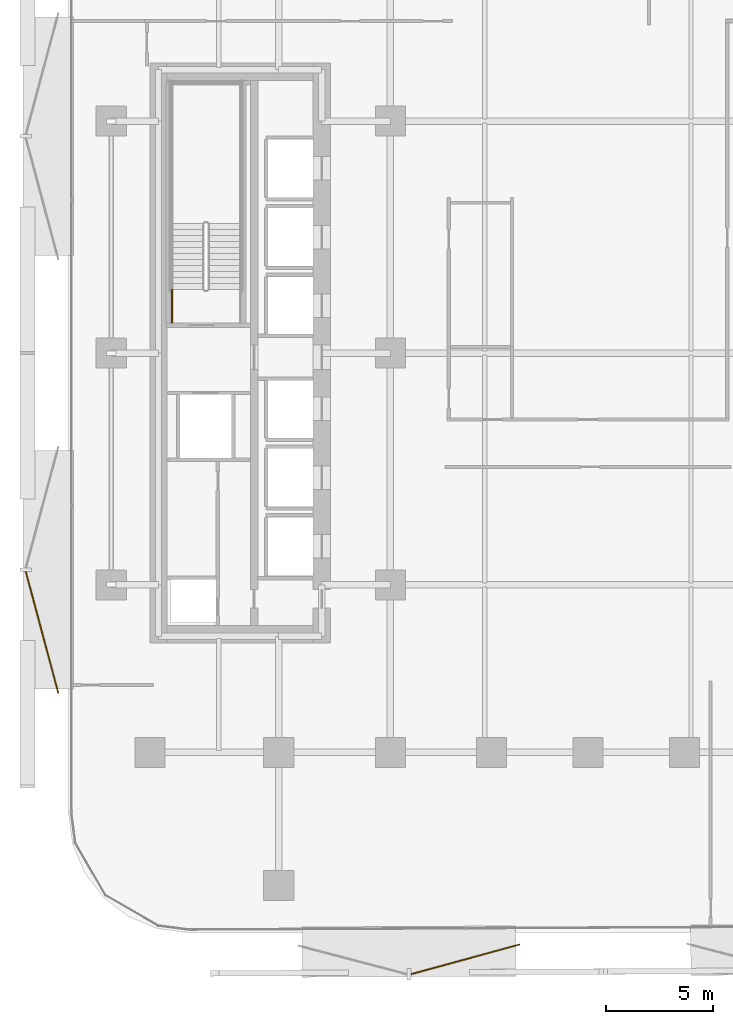
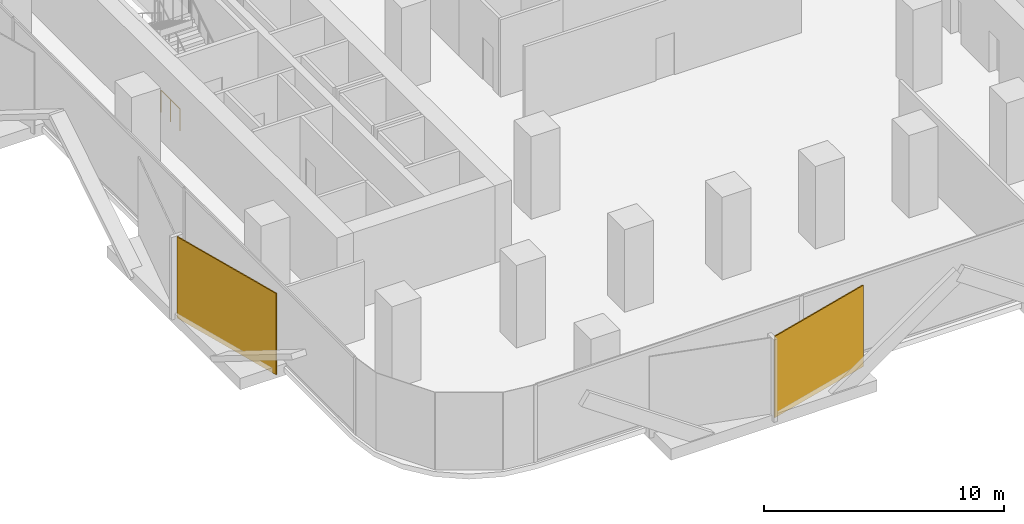
# One storey, part 11 of 15: 2 coverings, 1 railing.
"""IFC4 building model written with IfcOpenShell, lengths in metres."""

from ifc_helpers import new_model, si_unit, direction, frame, origin, origin_2d, place, context, subcontext, project, spatial, rectangle, circle, extrude, material, layer, layer_set, type_object, element, save


model = new_model("IFC4")

# Units and contexts
model_context = context("Model", 3, precision=1e-05, world=origin(), true_north=direction((0.0, 1.0)))
body_context = subcontext(model_context, "Body", "Model", "MODEL_VIEW")
ifc_project = project(units=[si_unit("LENGTHUNIT", "METRE"), si_unit("AREAUNIT", "SQUARE_METRE"), si_unit("VOLUMEUNIT", "CUBIC_METRE"), si_unit("PLANEANGLEUNIT", "RADIAN"), si_unit("MASSUNIT", "GRAM", prefix="KILO")], contexts=[model_context])

# Site, building, storey
site_placement = place(None, origin())
site = spatial("IfcSite", under=ifc_project, at=site_placement, CompositionType="ELEMENT")
building_placement = place(site_placement, origin())
building = spatial("IfcBuilding", under=site, at=building_placement, Name="Khairoan Windgate Tower", CompositionType="ELEMENT")
storey_placement = place(building_placement, frame((0.0, 0.0, 34.39990234375)))
storey = spatial("IfcBuildingStorey", under=building, at=storey_placement, Name="L08", CompositionType="ELEMENT", Elevation=34.39990234375)

# Coverings
ifc_material_1 = material(Name="Anodised Bronze Aluminium 6063-T6", Category="aluminium")
ifc_layer = layer(ifc_material_1, 0.054931640625, Name="Anodised Bronze Aluminium 6063-T6")
ifc_layer_set = layer_set([ifc_layer], Name="Anodised Bronze Aluminium 6063-T6")
covering_type = type_object("IfcCoveringType", Name="Perforated Bronze-Ceramic Folded Solar Screen Cladding BSC-1", PredefinedType="CLADDING", material=ifc_layer_set)
covering_1_placement = place(storey_placement, frame((-5.70751953125, -28.238037109375, -0.099609375), z_axis=(0.0, 0.0, 1.0), x_axis=(-0.964649468762, -0.263536339841, 0.0)))
element("IfcCovering", 1, at=covering_1_placement, inside=storey, type_object=covering_type, Name="L08 Folded Bronze Solar Screen Facet 18L", PredefinedType="CLADDING", context=body_context, shape_type="SweptSolid", body=[
    extrude(rectangle(XDim=5.25, YDim=0.054931640625, at=origin_2d()), origin(), (0.0, 0.0, 1.0), 4.139892578125),
])
covering_2_placement = place(storey_placement, frame((-25.42236328125, -13.01318359375, -0.099609375), z_axis=(0.0, 0.0, 1.0), x_axis=(-0.258819045103, 0.965925826289, 0.0)))
element("IfcCovering", 2, at=covering_2_placement, inside=storey, type_object=covering_type, Name="L08 Folded Bronze Solar Screen Facet 19L", PredefinedType="CLADDING", context=body_context, shape_type="SweptSolid", body=[
    extrude(rectangle(XDim=5.85498046875, YDim=0.054931640625, at=origin_2d()), origin(), (0.0, 0.0, 1.0), 4.139892578125),
])

# Railing
ifc_material_2 = material(Name="Steel S355", Category="steel")
railing_type = type_object("IfcRailingType", Name="Stairwell Safety Guardrail SGR-1150", PredefinedType="GUARDRAIL", material=ifc_material_2)
railing_placement = place(storey_placement, frame((-19.3701171875, 1.39990234375, 0.0)))
element("IfcRailing", 3, at=railing_placement, inside=storey, type_object=railing_type, Name="L08 ST2 stair guard 9", PredefinedType="GUARDRAIL", context=body_context, shape_type="SweptSolid", body=[
    extrude(circle(Radius=0.02392578125, at=origin_2d()), frame((0.0, 0.0, 1.1259765625), z_axis=(0.0, 1.0, 0.0), x_axis=(-1.0, 0.0, 0.0)), (0.0, 0.0, 1.0), 1.56005859375),
    extrude(circle(Radius=0.02099609375, at=origin_2d()), origin(), (0.0, 0.0, 1.0), 1.101806640625),
    extrude(circle(Radius=0.02099609375, at=origin_2d()), frame((0.0, 0.780029296875, 0.0)), (0.0, 0.0, 1.0), 1.101806640625),
    extrude(circle(Radius=0.02099609375, at=origin_2d()), frame((0.0, 1.56005859375, 0.0)), (0.0, 0.0, 1.0), 1.101806640625),
])

save(model, "model.ifc")
